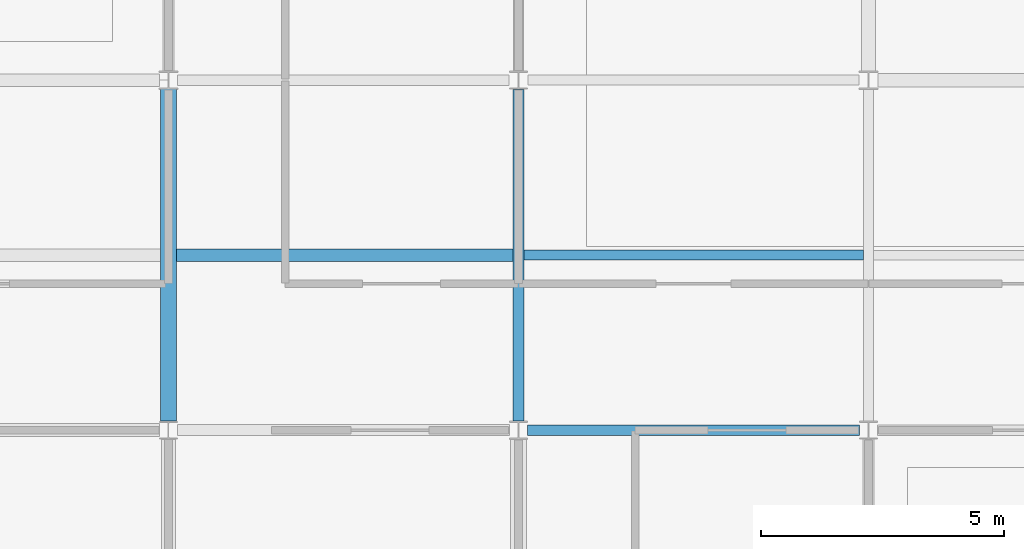
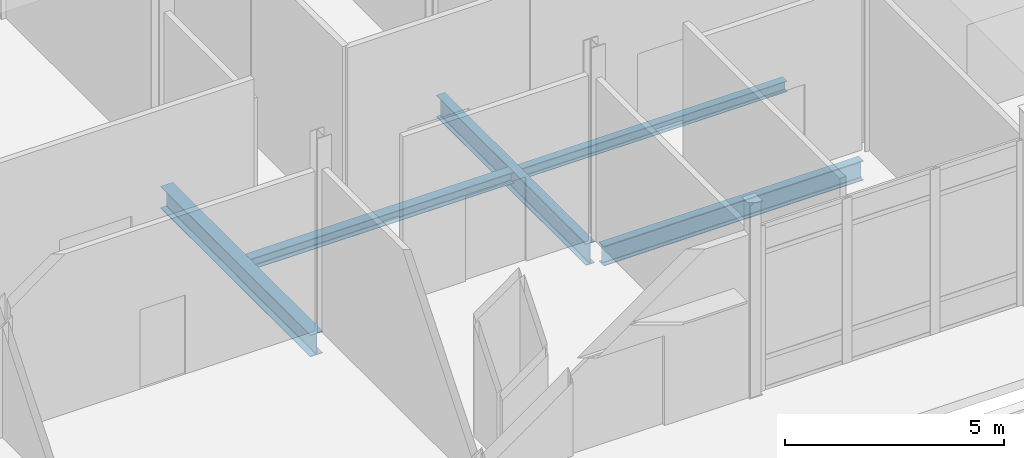
# One storey, part 49 of 229: 5 beams.
"""IFC4 building model written with IfcOpenShell, lengths in metres."""

from ifc_helpers import new_model, si_unit, direction, frame, origin, origin_2d, place, context, subcontext, project, spatial, i_section, extrude, material, material_profile, profile_set, type_object, element, save


model = new_model("IFC4")

# Units and contexts
model_context = context("Model", 3, precision=1e-05, world=origin(), true_north=direction((0.0, 1.0)))
body_context = subcontext(model_context, "Body", "Model", "MODEL_VIEW")
ifc_project = project(units=[si_unit("LENGTHUNIT", "METRE"), si_unit("AREAUNIT", "SQUARE_METRE"), si_unit("VOLUMEUNIT", "CUBIC_METRE"), si_unit("PLANEANGLEUNIT", "RADIAN"), si_unit("MASSUNIT", "GRAM", prefix="KILO")], contexts=[model_context])

# Site, building, storey
site_placement = place(None, origin())
site = spatial("IfcSite", under=ifc_project, at=site_placement, CompositionType="ELEMENT")
building_placement = place(site_placement, origin())
building = spatial("IfcBuilding", under=site, at=building_placement, Name="Calvrana Isthmian Art Gallery", CompositionType="ELEMENT")
storey_placement = place(building_placement, origin())
storey = spatial("IfcBuildingStorey", under=building, at=storey_placement, Name="L00", CompositionType="ELEMENT", Elevation=0.0)

# Beams
ifc_material = material(Name="Steel ASTM A992 Gr 50", Category="steel")
ifc_material_profile_1 = material_profile(ifc_material, i_section(OverallWidth=0.214111328125, OverallDepth=0.549072265625, WebThickness=0.0146484375, FlangeThickness=0.023681640625, FilletRadius=0.02099609375, at=origin_2d()), Name="W21X93")
ifc_profile_set_1 = profile_set([ifc_material_profile_1], Name="Steel ASTM A992 Gr 50")
beam_type_1 = type_object("IfcBeamType", Name="BM-G-W21X93", PredefinedType="BEAM", material=ifc_profile_set_1)
beam_1_placement = place(storey_placement, frame((120.1865234375, 7.199951171875, -0.5595703125), z_axis=(1.0, 0.0, 0.0), x_axis=(0.0, 1.0, 0.0)))
element("IfcBeam", 1, at=beam_1_placement, inside=storey, type_object=beam_type_1, Name="Girder X L00 16-17/B", PredefinedType="BEAM", context=body_context, shape_type="SweptSolid", body=[
    extrude(i_section(OverallWidth=0.214111328125, OverallDepth=0.549072265625, WebThickness=0.0146484375, FlangeThickness=0.023681640625, FilletRadius=0.02099609375, at=origin_2d()), origin(), (0.0, 0.0, 1.0), 6.827880859375),
])
ifc_material_profile_2 = material_profile(ifc_material, i_section(OverallWidth=0.324951171875, OverallDepth=0.612060546875, WebThickness=0.0126953125, FlangeThickness=0.01904296875, FilletRadius=0.02197265625, at=origin_2d()), Name="W24X104")
ifc_profile_set_2 = profile_set([ifc_material_profile_2], Name="Steel ASTM A992 Gr 50")
beam_type_2 = type_object("IfcBeamType", Name="BM-G-W24X104", PredefinedType="BEAM", material=ifc_profile_set_2)
beam_2_placement = place(storey_placement, frame((112.800048828125, 7.386474609375, -0.591064453125), z_axis=(0.0, 1.0, 0.0), x_axis=(-1.0, 0.0, 0.0)))
element("IfcBeam", 2, at=beam_2_placement, inside=storey, type_object=beam_type_2, Name="Girder Y L00 15/B-C", PredefinedType="BEAM", context=body_context, shape_type="SweptSolid", body=[
    extrude(i_section(OverallWidth=0.324951171875, OverallDepth=0.612060546875, WebThickness=0.0126953125, FlangeThickness=0.01904296875, FilletRadius=0.02197265625, at=origin_2d()), origin(), (0.0, 0.0, 1.0), 6.826904296875),
])
ifc_material_profile_3 = material_profile(ifc_material, i_section(OverallWidth=0.22802734375, OverallDepth=0.60693359375, WebThickness=0.01123046875, FlangeThickness=0.017333984375, FilletRadius=0.02197265625, at=origin_2d()), Name="W24X76")
ifc_profile_set_3 = profile_set([ifc_material_profile_3], Name="Steel ASTM A992 Gr 50")
beam_type_3 = type_object("IfcBeamType", Name="BM-G-W24X76", PredefinedType="BEAM", material=ifc_profile_set_3)
beam_3_placement = place(storey_placement, frame((120.0, 7.384033203125, -0.58837890625), z_axis=(0.0, 1.0, 0.0), x_axis=(-1.0, 0.0, 0.0)))
element("IfcBeam", 3, at=beam_3_placement, inside=storey, type_object=beam_type_3, Name="Girder Y L00 16/B-C", PredefinedType="BEAM", context=body_context, shape_type="SweptSolid", body=[
    extrude(i_section(OverallWidth=0.22802734375, OverallDepth=0.60693359375, WebThickness=0.01123046875, FlangeThickness=0.017333984375, FilletRadius=0.02197265625, at=origin_2d()), origin(), (0.0, 0.0, 1.0), 6.822998046875),
])
ifc_material_profile_4 = material_profile(ifc_material, i_section(OverallWidth=0.202880859375, OverallDepth=0.302001953125, WebThickness=0.007568359375, FlangeThickness=0.01318359375, FilletRadius=0.01611328125, at=origin_2d()), Name="W12X40")
ifc_profile_set_4 = profile_set([ifc_material_profile_4], Name="Steel ASTM A992 Gr 50")
beam_type_4 = type_object("IfcBeamType", Name="BM-J-W12X40", PredefinedType="JOIST", material=ifc_profile_set_4)
beam_4_placement = place(storey_placement, frame((120.114013671875, 10.800048828125, -0.43603515625), z_axis=(1.0, 0.0, 0.0), x_axis=(0.0, 1.0, 0.0)))
element("IfcBeam", 4, at=beam_4_placement, inside=storey, type_object=beam_type_4, Name="Composite joist L00 bay 15-01", PredefinedType="JOIST", context=body_context, shape_type="SweptSolid", body=[
    extrude(i_section(OverallWidth=0.202880859375, OverallDepth=0.302001953125, WebThickness=0.007568359375, FlangeThickness=0.01318359375, FilletRadius=0.01611328125, at=origin_2d()), origin(), (0.0, 0.0, 1.0), 6.9814453125),
])
ifc_material_profile_5 = material_profile(ifc_material, i_section(OverallWidth=0.25390625, OverallDepth=0.306884765625, WebThickness=0.0087890625, FlangeThickness=0.0146484375, FilletRadius=0.01611328125, at=origin_2d()), Name="W12X53")
ifc_profile_set_5 = profile_set([ifc_material_profile_5], Name="Steel ASTM A992 Gr 50")
beam_type_5 = type_object("IfcBeamType", Name="BM-J-W12X53", PredefinedType="JOIST", material=ifc_profile_set_5)
beam_5_placement = place(storey_placement, frame((112.96240234375, 10.800048828125, -0.4384765625), z_axis=(1.0, 0.0, 0.0), x_axis=(0.0, 1.0, 0.0)))
element("IfcBeam", 5, at=beam_5_placement, inside=storey, type_object=beam_type_5, Name="Composite joist L00 bay 14-01", PredefinedType="JOIST", context=body_context, shape_type="SweptSolid", body=[
    extrude(i_section(OverallWidth=0.25390625, OverallDepth=0.306884765625, WebThickness=0.0087890625, FlangeThickness=0.0146484375, FilletRadius=0.01611328125, at=origin_2d()), origin(), (0.0, 0.0, 1.0), 6.923583984375),
])

save(model, "model.ifc")
